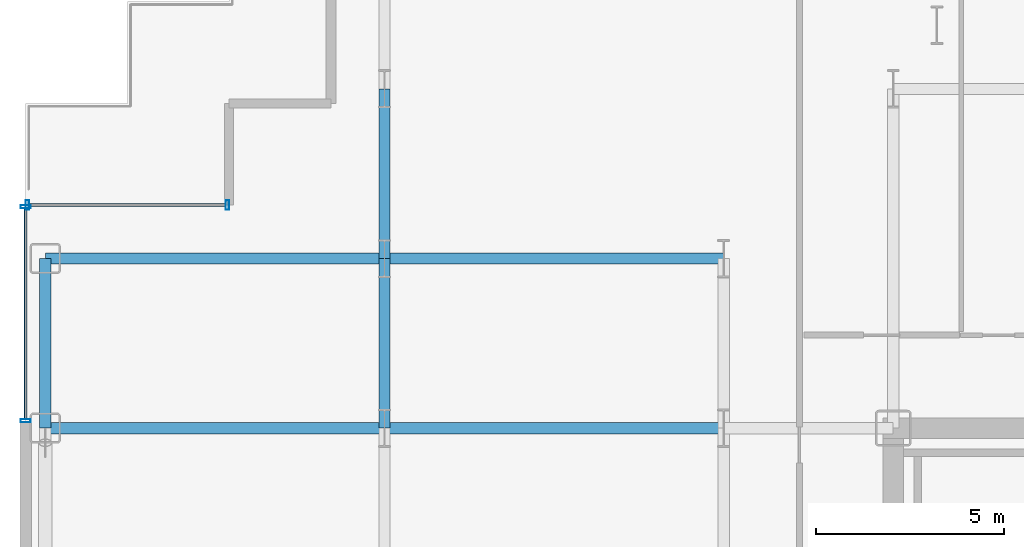
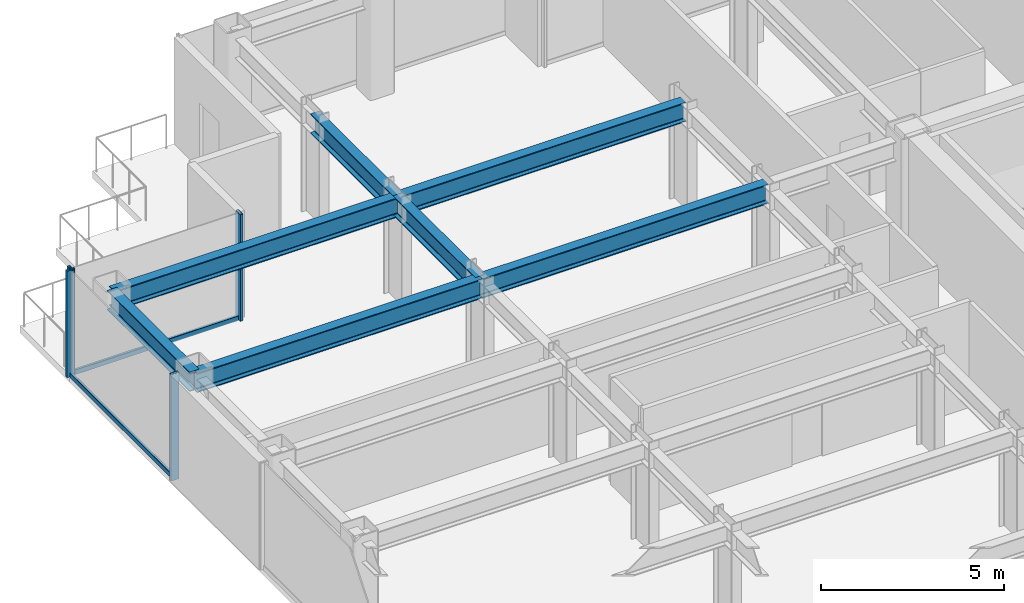
# One storey, part 11 of 29: 7 beams, 6 members, 2 elements without a shape of their own.
"""IFC4 building model written with IfcOpenShell, lengths in metres."""

import ifcopenshell
import ifcopenshell.guid

model = None  # the IFC model being written
_history = None  # IfcOwnerHistory: only IFC2X3 demands one
_inside = {}  # id of a spatial element -> (the spatial element, [elements in it])
_under = {}  # id of a project, library or spatial element -> (it, [spatial elements below it])
_declared = {}  # id of a project -> (the project, [libraries it declares])
_typed = {}  # id of a type object -> (the type object, [elements of that type])
_made_of = {}  # id of a material, layer set ... -> (it, [elements and type objects made of it])


def new_model(schema):
    """Start an empty IFC model of exactly this schema.

    Asked for "IFC4X3", IfcOpenShell would pick the latest addendum, in which some entities
    have other attributes; the version numbers below select the first issue.
    IFC2X3 requires an IfcOwnerHistory on every rooted entity: one is made here for all.
    """
    global model, _history
    if schema == "IFC4X3":
        model = ifcopenshell.file(schema_version=(4, 3, 0, 0))
    else:
        model = ifcopenshell.file(schema=schema)
    _inside.clear()
    _under.clear()
    _declared.clear()
    _typed.clear()
    _made_of.clear()
    _history = None
    if model.schema == "IFC2X3":
        org = make("IfcOrganization", Name="unknown")
        user = make(
            "IfcPersonAndOrganization",
            ThePerson=make("IfcPerson", FamilyName="unknown"),
            TheOrganization=org,
        )
        app = make(
            "IfcApplication",
            ApplicationDeveloper=org,
            Version="unknown",
            ApplicationFullName="unknown",
            ApplicationIdentifier="unknown",
        )
        _history = make(
            "IfcOwnerHistory",
            OwningUser=user,
            OwningApplication=app,
            ChangeAction="ADDED",
            CreationDate=0,
        )
    return model


def make(cls, **values):
    """One entity of the class cls with the attributes given. An attribute that is None is left unset."""
    return model.create_entity(
        cls, **{name: value for name, value in values.items() if value is not None}
    )


def rooted(cls, **values):
    """An entity with a GlobalId (a new one), such as an element, a storey or a relation."""
    return make(cls, GlobalId=ifcopenshell.guid.new(), OwnerHistory=_history, **values)


def si_unit(unit_type, name, prefix=None):
    """IfcSIUnit, for example si_unit("LENGTHUNIT", "METRE", prefix="MILLI")."""
    return make("IfcSIUnit", UnitType=unit_type, Prefix=prefix, Name=name)


def assignment(units):
    """IfcUnitAssignment: the units of a project."""
    return None if units is None else make("IfcUnitAssignment", Units=units)


def point(xyz):
    """IfcCartesianPoint."""
    return None if xyz is None else make("IfcCartesianPoint", Coordinates=xyz)


def direction(xyz):
    """IfcDirection."""
    return None if xyz is None else make("IfcDirection", DirectionRatios=xyz)


def frame(location, z_axis=None, x_axis=None):
    """IfcAxis2Placement3D, a coordinate frame: its origin and axes. An axis left out is left unset."""
    return make(
        "IfcAxis2Placement3D",
        Location=point(location),
        Axis=direction(z_axis),
        RefDirection=direction(x_axis),
    )


def frame_2d(location, x_axis=None):
    """IfcAxis2Placement2D, a coordinate frame in the plane: its origin and x axis."""
    return make(
        "IfcAxis2Placement2D", Location=point(location), RefDirection=direction(x_axis)
    )


def origin():
    """The frame at (0, 0, 0) with its axes left unset."""
    return frame((0.0, 0.0, 0.0))


def origin_2d():
    """The frame at (0, 0) in the plane with its x axis left unset."""
    return frame_2d((0.0, 0.0))


def place(relative_to, where):
    """IfcLocalPlacement: puts the frame where relative to a parent placement (None: the world)."""
    return make(
        "IfcLocalPlacement", PlacementRelTo=relative_to, RelativePlacement=where
    )


def context(
    kind, dimensions, precision=None, world=None, true_north=None, identifier=None
):
    """IfcGeometricRepresentationContext, for example the 3D "Model" context."""
    return make(
        "IfcGeometricRepresentationContext",
        ContextIdentifier=identifier,
        ContextType=kind,
        CoordinateSpaceDimension=dimensions,
        Precision=precision,
        WorldCoordinateSystem=world,
        TrueNorth=true_north,
    )


def subcontext(parent, identifier, kind, view, scale=None):
    """IfcGeometricRepresentationSubContext, for example "Body" below "Model"."""
    return make(
        "IfcGeometricRepresentationSubContext",
        ContextIdentifier=identifier,
        ContextType=kind,
        ParentContext=parent,
        TargetScale=scale,
        TargetView=view,
    )


def project(units=None, contexts=None):
    """IfcProject with its units and contexts."""
    return rooted(
        "IfcProject",
        Name="project",
        RepresentationContexts=contexts,
        UnitsInContext=assignment(units),
    )


def spatial(cls, under=None, at=None, **own):
    """A site, building, storey or space (cls), placed at a placement, below another one or the project."""
    s = rooted(cls, ObjectPlacement=at, **own)
    if under is not None:
        _under.setdefault(under.id(), (under, []))[1].append(s)
    return s


def profile(cls, at=None, kind="AREA", **sizes):
    """A parametric profile (cls). Its sizes go by their IFC names, for example OverallWidth=200.0."""
    return make(cls, ProfileType=kind, Position=at, **sizes)


def hollow_rectangle(**sizes):
    """IfcRectangleHollowProfileDef."""
    return profile("IfcRectangleHollowProfileDef", **sizes)


def i_section(**sizes):
    """IfcIShapeProfileDef."""
    return profile("IfcIShapeProfileDef", **sizes)


def extrude(swept, where, along, depth):
    """IfcExtrudedAreaSolid: the profile swept, set in the frame where, extruded along a direction by depth."""
    return make(
        "IfcExtrudedAreaSolid",
        SweptArea=swept,
        Position=where,
        ExtrudedDirection=direction(along),
        Depth=depth,
    )


def shape(context_of_items, identifier, shape_type, items):
    """IfcShapeRepresentation: the items that make up one representation, for example the "Body"."""
    return make(
        "IfcShapeRepresentation",
        ContextOfItems=context_of_items,
        RepresentationIdentifier=identifier,
        RepresentationType=shape_type,
        Items=items,
    )


def source(mapping_origin, context_of_items, identifier, shape_type, items):
    """IfcRepresentationMap: a shape defined once, which mapped items show again and again."""
    return make(
        "IfcRepresentationMap",
        MappingOrigin=mapping_origin,
        MappedRepresentation=shape(context_of_items, identifier, shape_type, items),
    )


def transform(
    local_origin,
    x_axis=None,
    y_axis=None,
    z_axis=None,
    scale=None,
    scale2=None,
    scale3=None,
    uniform=True,
):
    """IfcCartesianTransformationOperator3D, or its non-uniform kind. x_axis, y_axis, z_axis: its Axis1, 2, 3."""
    if uniform:
        return make(
            "IfcCartesianTransformationOperator3D",
            Axis1=direction(x_axis),
            Axis2=direction(y_axis),
            LocalOrigin=point(local_origin),
            Scale=scale,
            Axis3=direction(z_axis),
        )
    return make(
        "IfcCartesianTransformationOperator3DnonUniform",
        Axis1=direction(x_axis),
        Axis2=direction(y_axis),
        LocalOrigin=point(local_origin),
        Scale=scale,
        Axis3=direction(z_axis),
        Scale2=scale2,
        Scale3=scale3,
    )


def mapped(mapping_source, mapping_target):
    """IfcMappedItem: shows the shape of a source again, moved by a transform."""
    return make(
        "IfcMappedItem", MappingSource=mapping_source, MappingTarget=mapping_target
    )


def material(Name=None, Category=None):
    """IfcMaterial."""
    return make("IfcMaterial", Name=Name, Category=Category)


def layer(
    of_material, thickness, ventilated=None, Name=None, Category=None, Priority=None
):
    """IfcMaterialLayer: one layer of a wall or slab, of a material (None: an air gap)."""
    return make(
        "IfcMaterialLayer",
        Material=of_material,
        LayerThickness=thickness,
        IsVentilated=ventilated,
        Name=Name,
        Category=Category,
        Priority=Priority,
    )


def layer_set(layers, Name=None):
    """IfcMaterialLayerSet."""
    return make("IfcMaterialLayerSet", MaterialLayers=layers, LayerSetName=Name)


def material_profile(
    of_material, cross_section, Name=None, Category=None, Priority=None
):
    """IfcMaterialProfile: a cross section and its material."""
    return make(
        "IfcMaterialProfile",
        Name=Name,
        Material=of_material,
        Profile=cross_section,
        Priority=Priority,
        Category=Category,
    )


def profile_set(profiles, Name=None, composite=None):
    """IfcMaterialProfileSet."""
    return make(
        "IfcMaterialProfileSet",
        Name=Name,
        MaterialProfiles=profiles,
        CompositeProfile=composite,
    )


def made_of(thing, what):
    """Note that an element or type object is made of a material, layer set ...; save() writes the relation."""
    if what is not None:
        _made_of.setdefault(what.id(), (what, []))[1].append(thing)
    return thing


def type_object(cls, material=None, **own):
    """A type object (cls), such as IfcWallType, which elements share."""
    return made_of(rooted(cls, **own), material)


def element(
    cls,
    number,
    at=None,
    inside=None,
    cuts=None,
    type_object=None,
    material=None,
    context=None,
    identifier="Body",
    shape_type=None,
    held_by="IfcProductDefinitionShape",
    body=None,
    shapes=None,
    **own,
):
    """One element of the class cls, such as IfcWall. Its Tag is "e" and its number.

    at: its placement. inside: the storey or other place that contains it. cuts: it is an
    opening in that element (IfcRelVoidsElement). A single representation is given by context,
    identifier, shape_type and body (its items); several are given by shapes. held_by: the class
    of the entity that holds the representations. save() writes the other relations.
    """
    e = rooted(cls, Tag="e%d" % number, ObjectPlacement=at, **own)
    if body is not None:
        shapes = [shape(context, identifier, shape_type, body)]
    if shapes is not None:
        e.Representation = make(held_by, Representations=shapes)
    if inside is not None:
        _inside.setdefault(inside.id(), (inside, []))[1].append(e)
    if cuts is not None:
        rooted(
            "IfcRelVoidsElement", RelatingBuildingElement=cuts, RelatedOpeningElement=e
        )
    if type_object is not None:
        _typed.setdefault(type_object.id(), (type_object, []))[1].append(e)
    return made_of(e, material)


def aggregate(whole, parts):
    """IfcRelAggregates: a whole, such as a stair, and the parts it consists of."""
    return rooted("IfcRelAggregates", RelatingObject=whole, RelatedObjects=parts)


def save(model, path):
    """Write the relations noted so far, then the file.

    IfcRelAggregates (storeys below a building ...), IfcRelContainedInSpatialStructure (elements
    in a storey), IfcRelDefinesByType, IfcRelAssociatesMaterial and IfcRelDeclares: one each for
    every whole, place, type object, material and project.
    """
    for whole, parts in _under.values():
        aggregate(whole, parts)
    for where, things in _inside.values():
        rooted(
            "IfcRelContainedInSpatialStructure",
            RelatedElements=things,
            RelatingStructure=where,
        )
    for kind, things in _typed.values():
        rooted("IfcRelDefinesByType", RelatedObjects=things, RelatingType=kind)
    for what, things in _made_of.values():
        rooted("IfcRelAssociatesMaterial", RelatedObjects=things, RelatingMaterial=what)
    for by, libraries in _declared.values():
        rooted("IfcRelDeclares", RelatingContext=by, RelatedDefinitions=libraries)
    model.write(path)


model = new_model("IFC4")

# Units and contexts
model_context = context("Model", 3, precision=1e-05, world=origin(), true_north=direction((0.0, 1.0)))
body_context = subcontext(model_context, "Body", "Model", "MODEL_VIEW")
ifc_project = project(units=[si_unit("LENGTHUNIT", "METRE"), si_unit("AREAUNIT", "SQUARE_METRE"), si_unit("VOLUMEUNIT", "CUBIC_METRE"), si_unit("PLANEANGLEUNIT", "RADIAN"), si_unit("MASSUNIT", "GRAM", prefix="KILO")], contexts=[model_context])

# Site, building, storey
site_placement = place(None, origin())
site = spatial("IfcSite", under=ifc_project, at=site_placement, CompositionType="ELEMENT")
building_placement = place(site_placement, origin())
building = spatial("IfcBuilding", under=site, at=building_placement, Name="Nefas-Gora Pilgrimage Tower", CompositionType="ELEMENT")
storey_placement = place(building_placement, frame((0.0, 0.0, 125.0)))
storey = spatial("IfcBuildingStorey", under=building, at=storey_placement, Name="L30", CompositionType="ELEMENT", Elevation=125.0)

# Beams
ifc_material_1 = material(Name="Steel S355", Category="steel")
ifc_material_profile_1 = material_profile(ifc_material_1, i_section(OverallWidth=0.300048828125, OverallDepth=0.64990234375, WebThickness=0.01611328125, FlangeThickness=0.031005859375, FilletRadius=0.027099609375, at=origin_2d()), Name="HEB 650")
ifc_profile_set_1 = profile_set([ifc_material_profile_1], Name="Steel S355")
beam_type_1 = type_object("IfcBeamType", Name="BM-SPN-HEB500", PredefinedType="SPANDREL", material=ifc_profile_set_1)
shared_shape_1 = source(origin(), body_context, "Body", "SweptSolid", [
    extrude(i_section(OverallWidth=0.300048828125, OverallDepth=0.64990234375, WebThickness=0.01611328125, FlangeThickness=0.031005859375, FilletRadius=0.027099609375, at=origin_2d()), origin(), (0.0, 0.0, 1.0), 4.5),
])
beam_placement = place(storey_placement, frame((-33.75, 9.0, 3.22509765625), z_axis=(0.0, 1.0, 0.0), x_axis=(-1.0, 0.0, 0.0)))
element("IfcBeam", 1, at=beam_placement, inside=storey, type_object=beam_type_1, Name="L30 SP-02 beam", PredefinedType="SPANDREL", context=body_context, shape_type="MappedRepresentation", body=[
    mapped(shared_shape_1, transform((0.0, 0.0, 0.0), x_axis=(1.0, 0.0, 0.0), y_axis=(0.0, 1.0, 0.0), z_axis=(0.0, 0.0, 1.0), scale=1.0)),
])
ifc_material_profile_2 = material_profile(ifc_material_1, i_section(OverallWidth=0.300048828125, OverallDepth=0.64990234375, WebThickness=0.01611328125, FlangeThickness=0.031005859375, FilletRadius=0.027099609375, at=origin_2d()), Name="HEB 650")
ifc_profile_set_2 = profile_set([ifc_material_profile_2], Name="Steel S355")
beam_type_2 = type_object("IfcBeamType", Name="BM-GIR-HEB650", PredefinedType="BEAM", material=ifc_profile_set_2)
shared_shape_2 = source(origin(), body_context, "Body", "SweptSolid", [
    extrude(i_section(OverallWidth=0.300048828125, OverallDepth=0.64990234375, WebThickness=0.01611328125, FlangeThickness=0.031005859375, FilletRadius=0.027099609375, at=origin_2d()), origin(), (0.0, 0.0, 1.0), 9.0),
])
for number, where, z_axis, x_axis, name in (
    (2, (-33.75, 9.0, 3.22509765625), (1.0, 0.0, 0.0), (0.0, 1.0, 0.0), "L30 G-03 beam"),
    (3, (-33.75, 13.5, 3.22509765625), (1.0, 0.0, 0.0), (0.0, 1.0, 0.0), "L30 G-03 beam"),
    (4, (-24.75, 9.0, 3.22509765625), (1.0, 0.0, 0.0), (0.0, 1.0, 0.0), "L30 G-03 beam"),
    (5, (-24.75, 13.5, 3.22509765625), (1.0, 0.0, 0.0), (0.0, 1.0, 0.0), "L30 G-03 beam"),
):
    element("IfcBeam", number, at=place(storey_placement, frame(where, z_axis=z_axis, x_axis=x_axis)), inside=storey, type_object=beam_type_2, Name=name, PredefinedType="BEAM", context=body_context, shape_type="MappedRepresentation", body=[
        mapped(shared_shape_2, transform((0.0, 0.0, 0.0), x_axis=(1.0, 0.0, 0.0), y_axis=(0.0, 1.0, 0.0), z_axis=(0.0, 0.0, 1.0), scale=1.0)),
    ])
shared_shape_3 = source(origin(), body_context, "Body", "SweptSolid", [
    extrude(i_section(OverallWidth=0.300048828125, OverallDepth=0.64990234375, WebThickness=0.01611328125, FlangeThickness=0.031005859375, FilletRadius=0.027099609375, at=origin_2d()), origin(), (0.0, 0.0, 1.0), 4.5),
])
for number, where, z_axis, x_axis, name in (
    (6, (-24.75, 9.0, 3.22509765625), (0.0, 1.0, 0.0), (-1.0, 0.0, 0.0), "L30 G-03 beam"),
    (7, (-24.75, 13.5, 3.22509765625), (0.0, 1.0, 0.0), (-1.0, 0.0, 0.0), "L30 G-03 beam"),
):
    element("IfcBeam", number, at=place(storey_placement, frame(where, z_axis=z_axis, x_axis=x_axis)), inside=storey, type_object=beam_type_2, Name=name, PredefinedType="BEAM", context=body_context, shape_type="MappedRepresentation", body=[
        mapped(shared_shape_3, transform((0.0, 0.0, 0.0), x_axis=(1.0, 0.0, 0.0), y_axis=(0.0, 1.0, 0.0), z_axis=(0.0, 0.0, 1.0), scale=1.0)),
    ])

# Curtain wall, members
ifc_material_2 = material(Name="Dark ceramic-fritted solar-control aluminium-glass curtain wall", Category="aluminium")
ifc_layer = layer(ifc_material_2, 0.219970703125)
ifc_layer_set = layer_set([ifc_layer], Name="Dark ceramic-fritted solar-control aluminium-glass curtain wall")
curtain_wall_type = type_object("IfcCurtainWallType", Name="CW-SYS-2", PredefinedType="NOTDEFINED", material=ifc_layer_set)
curtain_wall_1_placement = place(storey_placement, origin())
curtain_wall_1 = element("IfcCurtainWall", 8, at=curtain_wall_1_placement, inside=storey, type_object=curtain_wall_type, Name="L30 Unitised Curtain Wall CW2", PredefinedType="NOTDEFINED")
ifc_material_3 = material(Name="Anodised architectural aluminium", Category="aluminium")
ifc_material_profile_3 = material_profile(ifc_material_3, hollow_rectangle(XDim=0.090087890625, YDim=0.260009765625, WallThickness=0.006103515625, InnerFilletRadius=0.006103515625, OuterFilletRadius=0.011962890625, at=origin_2d()), Name="ALU MULLION 90x260")
ifc_profile_set_3 = profile_set([ifc_material_profile_3], Name="Anodised architectural aluminium")
member_type_1 = type_object("IfcMemberType", Name="CWM-MUL-2", PredefinedType="MULLION", material=ifc_profile_set_3)
shared_shape_4 = source(origin(), body_context, "Body", "SweptSolid", [
    extrude(hollow_rectangle(XDim=0.090087890625, YDim=0.260009765625, WallThickness=0.006103515625, InnerFilletRadius=0.006103515625, OuterFilletRadius=0.011962890625, at=origin_2d()), origin(), (0.0, 0.0, 1.0), 3.550048828125),
])
member_1_placement = place(storey_placement, frame((-28.9150390625, 14.919921875, 0.0), z_axis=(0.0, 0.0, 1.0), x_axis=(-1.0, 0.0, 0.0)))
member_1 = element("IfcMember", 9, at=member_1_placement, type_object=member_type_1, Name="CW2 Mullion 1", PredefinedType="MULLION", context=body_context, shape_type="MappedRepresentation", body=[
    mapped(shared_shape_4, transform((0.0, 0.0, 0.0), x_axis=(1.0, 0.0, 0.0), y_axis=(0.0, 1.0, 0.0), z_axis=(0.0, 0.0, 1.0), scale=1.0)),
])
member_2_placement = place(storey_placement, frame((-34.22509765625, 14.919921875, 0.0), z_axis=(0.0, 0.0, 1.0), x_axis=(-1.0, 0.0, 0.0)))
member_2 = element("IfcMember", 10, at=member_2_placement, type_object=member_type_1, Name="CW2 Mullion 2", PredefinedType="MULLION", context=body_context, shape_type="MappedRepresentation", body=[
    mapped(shared_shape_4, transform((0.0, 0.0, 0.0), x_axis=(1.0, 0.0, 0.0), y_axis=(0.0, 1.0, 0.0), z_axis=(0.0, 0.0, 1.0), scale=1.0)),
])

curtain_wall_2_placement = place(storey_placement, origin())
curtain_wall_2 = element("IfcCurtainWall", 11, at=curtain_wall_2_placement, inside=storey, type_object=curtain_wall_type, Name="L30 Unitised Curtain Wall CW2", PredefinedType="NOTDEFINED")
member_3_placement = place(storey_placement, frame((-34.27001953125, 14.875, 0.0), z_axis=(0.0, 0.0, 1.0), x_axis=(0.0, -1.0, 0.0)))
member_3 = element("IfcMember", 12, at=member_3_placement, type_object=member_type_1, Name="CW2 Mullion 1", PredefinedType="MULLION", context=body_context, shape_type="MappedRepresentation", body=[
    mapped(shared_shape_4, transform((0.0, 0.0, 0.0), x_axis=(1.0, 0.0, 0.0), y_axis=(0.0, 1.0, 0.0), z_axis=(0.0, 0.0, 1.0), scale=1.0)),
])
member_4_placement = place(storey_placement, frame((-34.27001953125, 9.195068359375, 0.0), z_axis=(0.0, 0.0, 1.0), x_axis=(0.0, -1.0, 0.0)))
member_4 = element("IfcMember", 13, at=member_4_placement, type_object=member_type_1, Name="CW2 Mullion 2", PredefinedType="MULLION", context=body_context, shape_type="MappedRepresentation", body=[
    mapped(shared_shape_4, transform((0.0, 0.0, 0.0), x_axis=(1.0, 0.0, 0.0), y_axis=(0.0, 1.0, 0.0), z_axis=(0.0, 0.0, 1.0), scale=1.0)),
])

# Member
ifc_material_profile_4 = material_profile(ifc_material_3, hollow_rectangle(XDim=0.080078125, YDim=0.159912109375, WallThickness=0.00439453125, InnerFilletRadius=0.00439453125, OuterFilletRadius=0.009033203125, at=origin_2d()), Name="ALU TRANSOM 80x160")
ifc_profile_set_4 = profile_set([ifc_material_profile_4], Name="Anodised architectural aluminium")
member_type_2 = type_object("IfcMemberType", Name="CWM-TRN-2", PredefinedType="USERDEFINED", material=ifc_profile_set_4)
shared_shape_5 = source(origin(), body_context, "Body", "SweptSolid", [
    extrude(hollow_rectangle(XDim=0.080078125, YDim=0.159912109375, WallThickness=0.00439453125, InnerFilletRadius=0.00439453125, OuterFilletRadius=0.009033203125, at=origin_2d()), origin(), (0.0, 0.0, 1.0), 5.219970703125),
])
member_5_placement = place(storey_placement, frame((-28.9599609375, 14.919921875, 0.050048828125), z_axis=(-1.0, 0.0, 0.0), x_axis=(0.0, -1.0, 0.0)))
member_5 = element("IfcMember", 14, at=member_5_placement, type_object=member_type_2, Name="CW2 Spandrel Transom", ObjectType="TRANSOM", PredefinedType="USERDEFINED", context=body_context, shape_type="MappedRepresentation", body=[
    mapped(shared_shape_5, transform((0.0, 0.0, 0.0), x_axis=(1.0, 0.0, 0.0), y_axis=(0.0, 1.0, 0.0), z_axis=(0.0, 0.0, 1.0), scale=1.0)),
])

aggregate(curtain_wall_1, [member_1, member_2, member_5])

shared_shape_6 = source(origin(), body_context, "Body", "SweptSolid", [
    extrude(hollow_rectangle(XDim=0.080078125, YDim=0.159912109375, WallThickness=0.00439453125, InnerFilletRadius=0.00439453125, OuterFilletRadius=0.009033203125, at=origin_2d()), origin(), (0.0, 0.0, 1.0), 5.590087890625),
])
member_6_placement = place(storey_placement, frame((-34.27001953125, 14.830078125, 0.050048828125), z_axis=(0.0, -1.0, 0.0), x_axis=(1.0, 0.0, 0.0)))
member_6 = element("IfcMember", 15, at=member_6_placement, type_object=member_type_2, Name="CW2 Spandrel Transom", ObjectType="TRANSOM", PredefinedType="USERDEFINED", context=body_context, shape_type="MappedRepresentation", body=[
    mapped(shared_shape_6, transform((0.0, 0.0, 0.0), x_axis=(1.0, 0.0, 0.0), y_axis=(0.0, 1.0, 0.0), z_axis=(0.0, 0.0, 1.0), scale=1.0)),
])

aggregate(curtain_wall_2, [member_3, member_4, member_6])

save(model, "model.ifc")
